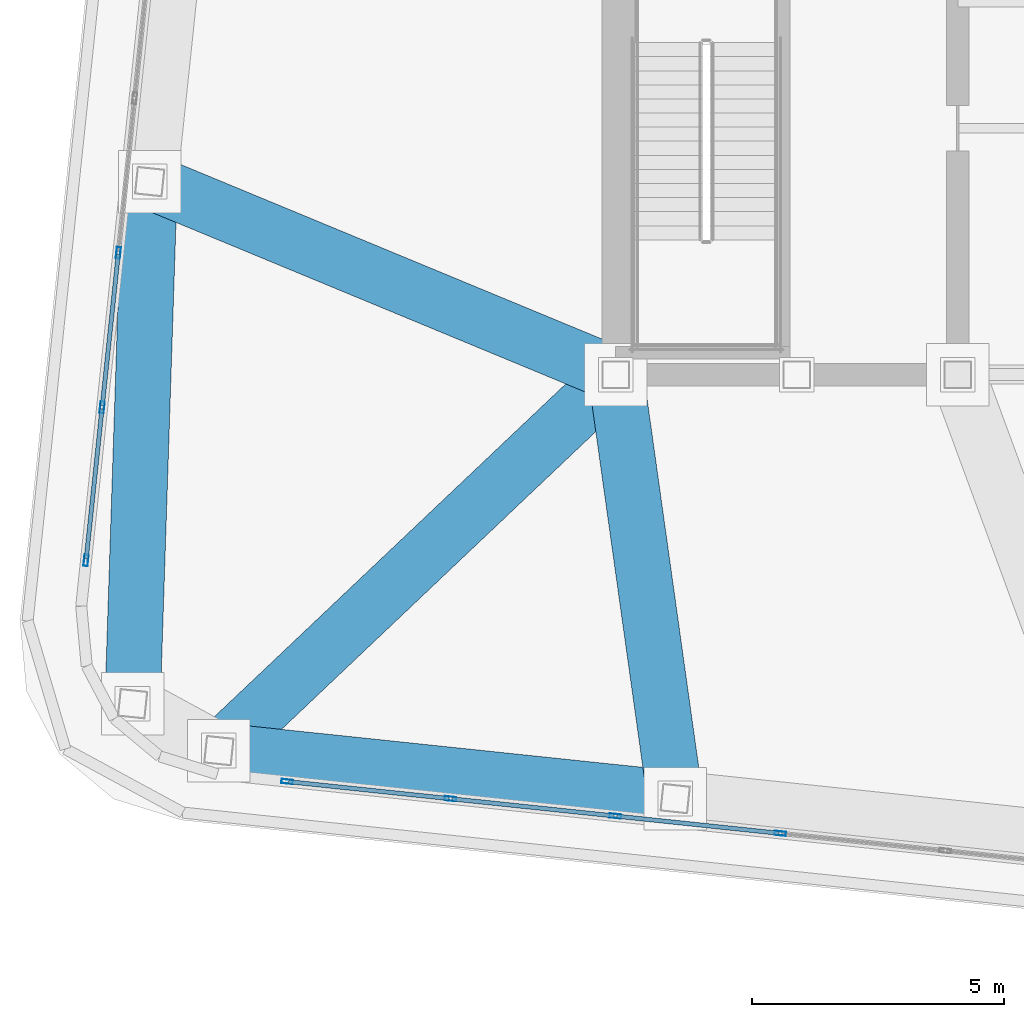
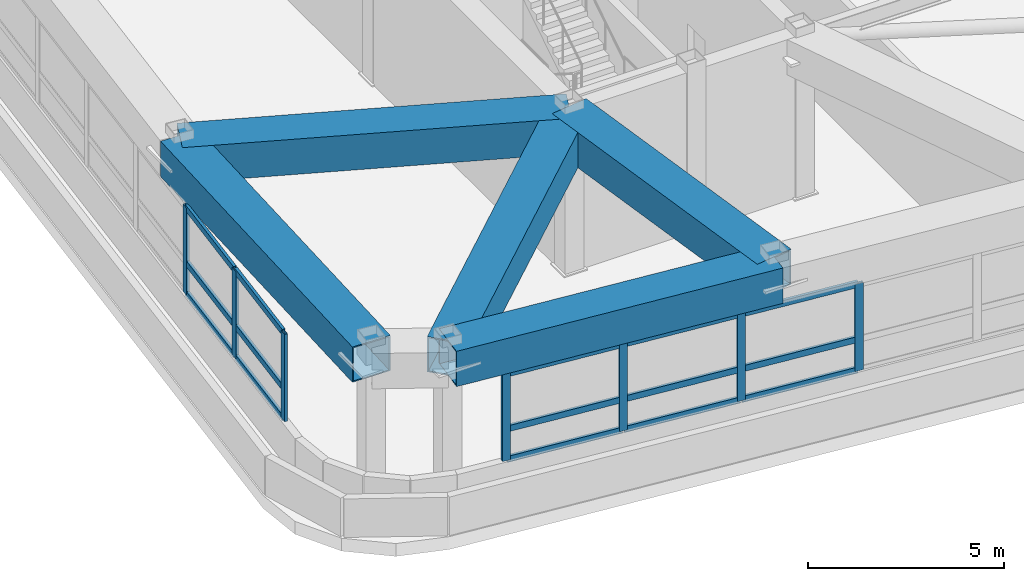
# One storey, part 2 of 22: 22 members, 5 beams, 2 elements without a shape of their own.
"""IFC4 building model written with IfcOpenShell, lengths in metres."""

from ifc_helpers import new_model, si_unit, direction, frame, origin, origin_2d, place, context, subcontext, project, spatial, hollow_rectangle, extrude, material, layer, layer_set, material_profile, profile_set, type_object, element, aggregate, save


model = new_model("IFC4")

# Units and contexts
model_context = context("Model", 3, precision=1e-05, world=origin(), true_north=direction((0.0, 1.0)))
body_context = subcontext(model_context, "Body", "Model", "MODEL_VIEW")
ifc_project = project(units=[si_unit("LENGTHUNIT", "METRE"), si_unit("AREAUNIT", "SQUARE_METRE"), si_unit("VOLUMEUNIT", "CUBIC_METRE"), si_unit("PLANEANGLEUNIT", "RADIAN"), si_unit("MASSUNIT", "GRAM", prefix="KILO")], contexts=[model_context])

# Site, building, storey
site_placement = place(None, origin())
site = spatial("IfcSite", under=ifc_project, at=site_placement, CompositionType="ELEMENT")
building_placement = place(site_placement, origin())
building = spatial("IfcBuilding", under=site, at=building_placement, Name="Voryun Gate Residences", CompositionType="ELEMENT")
storey_placement = place(building_placement, frame((0.0, 0.0, 310.699951171875)))
storey = spatial("IfcBuildingStorey", under=building, at=storey_placement, Name="L77", CompositionType="ELEMENT", Elevation=310.699951171875)

# Beams
ifc_material_1 = material(Name="Steel SM420", Category="steel")
ifc_material_profile_1 = material_profile(ifc_material_1, hollow_rectangle(XDim=1.10009765625, YDim=1.10009765625, WallThickness=0.035888671875, at=origin_2d()), Name="BOX-1100x1100x36")
ifc_profile_set_1 = profile_set([ifc_material_profile_1], Name="Steel SM420")
beam_type = type_object("IfcBeamType", Name="BM_ARCH_RIB", PredefinedType="USERDEFINED", material=ifc_profile_set_1)
beam_1_placement = place(storey_placement, frame((-27.088623046875, -14.871826171875, 4.47509765625), z_axis=(0.994523919568, -0.104509202498, 0.0), x_axis=(0.104509202498, 0.994523919568, 0.0)))
element("IfcBeam", 1, at=beam_1_placement, inside=storey, type_object=beam_type, Name="BM-L77-SPAND-01", ObjectType="GIRDER", PredefinedType="USERDEFINED", context=body_context, shape_type="SweptSolid", body=[
    extrude(hollow_rectangle(XDim=1.10009765625, YDim=1.10009765625, WallThickness=0.035888671875, at=origin_2d()), origin(), (0.0, 0.0, 1.0), 9.1201171875),
])
beam_2_placement = place(storey_placement, frame((-28.464111328125, -3.56201171875, 4.47509765625), z_axis=(-0.032704208853, -0.999465074289, 0.0), x_axis=(0.999465074289, -0.032704208853, 0.0)))
element("IfcBeam", 2, at=beam_2_placement, inside=storey, type_object=beam_type, Name="BM-L77-SPAND-19", ObjectType="GIRDER", PredefinedType="USERDEFINED", context=body_context, shape_type="SweptSolid", body=[
    extrude(hollow_rectangle(XDim=1.10009765625, YDim=1.10009765625, WallThickness=0.035888671875, at=origin_2d()), origin(), (0.0, 0.0, 1.0), 10.384033203125),
])
beam_3_placement = place(storey_placement, frame((-19.199951171875, -7.39990234375, 4.47509765625), z_axis=(-0.726024122139, -0.687669233042, 0.0), x_axis=(0.687669233042, -0.726024122139, 0.0)))
element("IfcBeam", 3, at=beam_3_placement, inside=storey, type_object=beam_type, Name="BM-L77-RAD-S1", ObjectType="GIRDER", PredefinedType="USERDEFINED", context=body_context, shape_type="SweptSolid", body=[
    extrude(hollow_rectangle(XDim=1.10009765625, YDim=1.10009765625, WallThickness=0.035888671875, at=origin_2d()), origin(), (0.0, 0.0, 1.0), 10.865478515625),
])
beam_4_placement = place(storey_placement, frame((-19.199951171875, -7.39990234375, 4.47509765625), z_axis=(0.138865687617, -0.990311224213, 0.0), x_axis=(0.990311224213, 0.138865687617, 0.0)))
element("IfcBeam", 4, at=beam_4_placement, inside=storey, type_object=beam_type, Name="BM-L77-RAD-S2", ObjectType="GIRDER", PredefinedType="USERDEFINED", context=body_context, shape_type="SweptSolid", body=[
    extrude(hollow_rectangle(XDim=1.10009765625, YDim=1.10009765625, WallThickness=0.035888671875, at=origin_2d()), origin(), (0.0, 0.0, 1.0), 8.507568359375),
])
beam_5_placement = place(storey_placement, frame((-19.199951171875, -7.39990234375, 4.47509765625), z_axis=(-0.923860145027, 0.382730234539, 0.0), x_axis=(-0.382730234539, -0.923860145027, 0.0)))
element("IfcBeam", 5, at=beam_5_placement, inside=storey, type_object=beam_type, Name="BM-L77-RAD-W2", ObjectType="GIRDER", PredefinedType="USERDEFINED", context=body_context, shape_type="SweptSolid", body=[
    extrude(hollow_rectangle(XDim=1.10009765625, YDim=1.10009765625, WallThickness=0.035888671875, at=origin_2d()), origin(), (0.0, 0.0, 1.0), 10.027587890625),
])

# Curtain wall, members
ifc_material_2 = material(Name="Anodised aluminium", Category="aluminium")
ifc_layer = layer(ifc_material_2, 0.22998046875, Name="CW_SYS_LANTERN_DARK_GLASS")
ifc_layer_set = layer_set([ifc_layer], Name="Anodised aluminium")
curtain_wall_type = type_object("IfcCurtainWallType", Name="CW_SYS_LANTERN_DARK_GLASS", PredefinedType="NOTDEFINED", material=ifc_layer_set)
curtain_wall_1_placement = place(storey_placement, origin())
curtain_wall_1 = element("IfcCurtainWall", 6, at=curtain_wall_1_placement, inside=storey, type_object=curtain_wall_type, Name="Curtain wall CW6-L77-01", PredefinedType="NOTDEFINED")
ifc_material_3 = material(Name="Anodised aluminium", Category="aluminium")
ifc_material_profile_2 = material_profile(ifc_material_3, hollow_rectangle(XDim=0.0849609375, YDim=0.22998046875, WallThickness=0.006103515625, at=origin_2d()), Name="ALU-MULL-230x85x6")
ifc_profile_set_2 = profile_set([ifc_material_profile_2], Name="Anodised aluminium")
member_type_1 = type_object("IfcMemberType", Name="CW_MULL_LANT", PredefinedType="MULLION", material=ifc_profile_set_2)
member_1_placement = place(storey_placement, frame((-15.930908203125, -16.51708984375, 1.18994140625), z_axis=(0.0, 0.0, 1.0), x_axis=(-0.10452775858, -0.994521969434, 0.0)))
member_1 = element("IfcMember", 7, at=member_1_placement, type_object=member_type_1, Name="CW6 mullion 11", PredefinedType="MULLION", context=body_context, shape_type="SweptSolid", body=[
    extrude(hollow_rectangle(XDim=0.0849609375, YDim=0.22998046875, WallThickness=0.006103515625, at=origin_2d()), origin(), (0.0, 0.0, 1.0), 2.72509765625),
])
member_2_placement = place(storey_placement, frame((-19.20751953125, -16.172607421875, 1.18994140625), z_axis=(0.0, 0.0, 1.0), x_axis=(-0.10452775858, -0.994521969434, 0.0)))
member_2 = element("IfcMember", 8, at=member_2_placement, type_object=member_type_1, Name="CW6 mullion 12", PredefinedType="MULLION", context=body_context, shape_type="SweptSolid", body=[
    extrude(hollow_rectangle(XDim=0.0849609375, YDim=0.22998046875, WallThickness=0.006103515625, at=origin_2d()), origin(), (0.0, 0.0, 1.0), 2.72509765625),
])
member_3_placement = place(storey_placement, frame((-22.484130859375, -15.828369140625, 1.18994140625), z_axis=(0.0, 0.0, 1.0), x_axis=(-0.10452775858, -0.994521969434, 0.0)))
member_3 = element("IfcMember", 9, at=member_3_placement, type_object=member_type_1, Name="CW6 mullion 13", PredefinedType="MULLION", context=body_context, shape_type="SweptSolid", body=[
    extrude(hollow_rectangle(XDim=0.0849609375, YDim=0.22998046875, WallThickness=0.006103515625, at=origin_2d()), origin(), (0.0, 0.0, 1.0), 2.72509765625),
])
member_4_placement = place(storey_placement, frame((-25.73095703125, -15.487060546875, 1.18994140625), z_axis=(0.0, 0.0, 1.0), x_axis=(-0.10452775858, -0.994521969434, 0.0)))
member_4 = element("IfcMember", 10, at=member_4_placement, type_object=member_type_1, Name="CW6 mullion 14", PredefinedType="MULLION", context=body_context, shape_type="SweptSolid", body=[
    extrude(hollow_rectangle(XDim=0.0849609375, YDim=0.22998046875, WallThickness=0.006103515625, at=origin_2d()), origin(), (0.0, 0.0, 1.0), 2.72509765625),
])

curtain_wall_2_placement = place(storey_placement, origin())
curtain_wall_2 = element("IfcCurtainWall", 11, at=curtain_wall_2_placement, inside=storey, type_object=curtain_wall_type, Name="Curtain wall CW6-L77-06", PredefinedType="NOTDEFINED")
member_5_placement = place(storey_placement, frame((-29.727783203125, -11.090576171875, 1.18994140625), z_axis=(0.0, 0.0, 1.0), x_axis=(-0.994521943608, 0.104528004296, 0.0)))
member_5 = element("IfcMember", 12, at=member_5_placement, type_object=member_type_1, Name="CW6 mullion 1", PredefinedType="MULLION", context=body_context, shape_type="SweptSolid", body=[
    extrude(hollow_rectangle(XDim=0.0849609375, YDim=0.22998046875, WallThickness=0.006103515625, at=origin_2d()), origin(), (0.0, 0.0, 1.0), 2.72509765625),
])
member_6_placement = place(storey_placement, frame((-29.408203125, -8.04931640625, 1.18994140625), z_axis=(0.0, 0.0, 1.0), x_axis=(-0.994521943608, 0.104528004296, 0.0)))
member_6 = element("IfcMember", 13, at=member_6_placement, type_object=member_type_1, Name="CW6 mullion 2", PredefinedType="MULLION", context=body_context, shape_type="SweptSolid", body=[
    extrude(hollow_rectangle(XDim=0.0849609375, YDim=0.22998046875, WallThickness=0.006103515625, at=origin_2d()), origin(), (0.0, 0.0, 1.0), 2.72509765625),
])
member_7_placement = place(storey_placement, frame((-29.08544921875, -4.978515625, 1.18994140625), z_axis=(0.0, 0.0, 1.0), x_axis=(-0.994521943608, 0.104528004296, 0.0)))
member_7 = element("IfcMember", 14, at=member_7_placement, type_object=member_type_1, Name="CW6 mullion 3", PredefinedType="MULLION", context=body_context, shape_type="SweptSolid", body=[
    extrude(hollow_rectangle(XDim=0.0849609375, YDim=0.22998046875, WallThickness=0.006103515625, at=origin_2d()), origin(), (0.0, 0.0, 1.0), 2.72509765625),
])

# Member
ifc_material_4 = material(Name="Anodised aluminium", Category="aluminium")
ifc_material_profile_3 = material_profile(ifc_material_4, hollow_rectangle(XDim=0.0849609375, YDim=0.18994140625, WallThickness=0.006103515625, at=origin_2d()), Name="ALU-TRAN-190x85x6")
ifc_profile_set_3 = profile_set([ifc_material_profile_3], Name="Anodised aluminium")
member_type_2 = type_object("IfcMemberType", Name="CW_TRAN_LANT", PredefinedType="USERDEFINED", material=ifc_profile_set_3)
member_8_placement = place(storey_placement, frame((-15.960693359375, -16.513916015625, 1.219970703125), z_axis=(-0.994521569819, 0.104531560613, 0.0), x_axis=(-0.104531560613, -0.994521569819, 0.0)))
member_8 = element("IfcMember", 15, at=member_8_placement, type_object=member_type_2, Name="CW6 transom 11.1", ObjectType="TRANSOM", PredefinedType="USERDEFINED", context=body_context, shape_type="SweptSolid", body=[
    extrude(hollow_rectangle(XDim=0.0849609375, YDim=0.18994140625, WallThickness=0.006103515625, at=origin_2d()), origin(), (0.0, 0.0, 1.0), 3.23486328125),
])

member_9_placement = place(storey_placement, frame((-15.960693359375, -16.513916015625, 2.171142578125), z_axis=(-0.994521569819, 0.104531560613, 0.0), x_axis=(-0.104531560613, -0.994521569819, 0.0)))
member_9 = element("IfcMember", 16, at=member_9_placement, type_object=member_type_2, Name="CW6 transom 11.2", ObjectType="TRANSOM", PredefinedType="USERDEFINED", context=body_context, shape_type="SweptSolid", body=[
    extrude(hollow_rectangle(XDim=0.0849609375, YDim=0.18994140625, WallThickness=0.006103515625, at=origin_2d()), origin(), (0.0, 0.0, 1.0), 3.23486328125),
])

member_10_placement = place(storey_placement, frame((-15.960693359375, -16.513916015625, 3.885009765625), z_axis=(-0.994521569819, 0.104531560613, 0.0), x_axis=(-0.104531560613, -0.994521569819, 0.0)))
member_10 = element("IfcMember", 17, at=member_10_placement, type_object=member_type_2, Name="CW6 transom 11.3", ObjectType="TRANSOM", PredefinedType="USERDEFINED", context=body_context, shape_type="SweptSolid", body=[
    extrude(hollow_rectangle(XDim=0.0849609375, YDim=0.18994140625, WallThickness=0.006103515625, at=origin_2d()), origin(), (0.0, 0.0, 1.0), 3.23486328125),
])

member_11_placement = place(storey_placement, frame((-19.2373046875, -16.16943359375, 1.219970703125), z_axis=(-0.994521569819, 0.104531560613, 0.0), x_axis=(-0.104531560613, -0.994521569819, 0.0)))
member_11 = element("IfcMember", 18, at=member_11_placement, type_object=member_type_2, Name="CW6 transom 12.1", ObjectType="TRANSOM", PredefinedType="USERDEFINED", context=body_context, shape_type="SweptSolid", body=[
    extrude(hollow_rectangle(XDim=0.0849609375, YDim=0.18994140625, WallThickness=0.006103515625, at=origin_2d()), origin(), (0.0, 0.0, 1.0), 3.23486328125),
])

member_12_placement = place(storey_placement, frame((-19.2373046875, -16.16943359375, 2.171142578125), z_axis=(-0.994521569819, 0.104531560613, 0.0), x_axis=(-0.104531560613, -0.994521569819, 0.0)))
member_12 = element("IfcMember", 19, at=member_12_placement, type_object=member_type_2, Name="CW6 transom 12.2", ObjectType="TRANSOM", PredefinedType="USERDEFINED", context=body_context, shape_type="SweptSolid", body=[
    extrude(hollow_rectangle(XDim=0.0849609375, YDim=0.18994140625, WallThickness=0.006103515625, at=origin_2d()), origin(), (0.0, 0.0, 1.0), 3.23486328125),
])

member_13_placement = place(storey_placement, frame((-19.2373046875, -16.16943359375, 3.885009765625), z_axis=(-0.994521569819, 0.104531560613, 0.0), x_axis=(-0.104531560613, -0.994521569819, 0.0)))
member_13 = element("IfcMember", 20, at=member_13_placement, type_object=member_type_2, Name="CW6 transom 12.3", ObjectType="TRANSOM", PredefinedType="USERDEFINED", context=body_context, shape_type="SweptSolid", body=[
    extrude(hollow_rectangle(XDim=0.0849609375, YDim=0.18994140625, WallThickness=0.006103515625, at=origin_2d()), origin(), (0.0, 0.0, 1.0), 3.23486328125),
])

member_14_placement = place(storey_placement, frame((-22.513916015625, -15.8251953125, 1.219970703125), z_axis=(-0.994522138405, 0.104526150903, 0.0), x_axis=(-0.104526150903, -0.994522138405, 0.0)))
member_14 = element("IfcMember", 21, at=member_14_placement, type_object=member_type_2, Name="CW6 transom 13.1", ObjectType="TRANSOM", PredefinedType="USERDEFINED", context=body_context, shape_type="SweptSolid", body=[
    extrude(hollow_rectangle(XDim=0.0849609375, YDim=0.18994140625, WallThickness=0.006103515625, at=origin_2d()), origin(), (0.0, 0.0, 1.0), 3.20458984375),
])

member_15_placement = place(storey_placement, frame((-22.513916015625, -15.8251953125, 2.171142578125), z_axis=(-0.994522138405, 0.104526150903, 0.0), x_axis=(-0.104526150903, -0.994522138405, 0.0)))
member_15 = element("IfcMember", 22, at=member_15_placement, type_object=member_type_2, Name="CW6 transom 13.2", ObjectType="TRANSOM", PredefinedType="USERDEFINED", context=body_context, shape_type="SweptSolid", body=[
    extrude(hollow_rectangle(XDim=0.0849609375, YDim=0.18994140625, WallThickness=0.006103515625, at=origin_2d()), origin(), (0.0, 0.0, 1.0), 3.20458984375),
])

member_16_placement = place(storey_placement, frame((-22.513916015625, -15.8251953125, 3.885009765625), z_axis=(-0.994522138405, 0.104526150903, 0.0), x_axis=(-0.104526150903, -0.994522138405, 0.0)))
member_16 = element("IfcMember", 23, at=member_16_placement, type_object=member_type_2, Name="CW6 transom 13.3", ObjectType="TRANSOM", PredefinedType="USERDEFINED", context=body_context, shape_type="SweptSolid", body=[
    extrude(hollow_rectangle(XDim=0.0849609375, YDim=0.18994140625, WallThickness=0.006103515625, at=origin_2d()), origin(), (0.0, 0.0, 1.0), 3.20458984375),
])

aggregate(curtain_wall_1, [member_1, member_2, member_3, member_4, member_8, member_9, member_10, member_11, member_12, member_13, member_14, member_15, member_16])

member_17_placement = place(storey_placement, frame((-29.724609375, -11.060546875, 1.219970703125), z_axis=(0.104485537102, 0.994526406153, 0.0), x_axis=(-0.994526406153, 0.104485537102, 0.0)))
member_17 = element("IfcMember", 24, at=member_17_placement, type_object=member_type_2, Name="CW6 transom 1.1", ObjectType="TRANSOM", PredefinedType="USERDEFINED", context=body_context, shape_type="SweptSolid", body=[
    extrude(hollow_rectangle(XDim=0.0849609375, YDim=0.18994140625, WallThickness=0.006103515625, at=origin_2d()), origin(), (0.0, 0.0, 1.0), 2.997802734375),
])

member_18_placement = place(storey_placement, frame((-29.724609375, -11.060546875, 2.171142578125), z_axis=(0.104485537102, 0.994526406153, 0.0), x_axis=(-0.994526406153, 0.104485537102, 0.0)))
member_18 = element("IfcMember", 25, at=member_18_placement, type_object=member_type_2, Name="CW6 transom 1.2", ObjectType="TRANSOM", PredefinedType="USERDEFINED", context=body_context, shape_type="SweptSolid", body=[
    extrude(hollow_rectangle(XDim=0.0849609375, YDim=0.18994140625, WallThickness=0.006103515625, at=origin_2d()), origin(), (0.0, 0.0, 1.0), 2.997802734375),
])

member_19_placement = place(storey_placement, frame((-29.724609375, -11.060546875, 3.885009765625), z_axis=(0.104485537102, 0.994526406153, 0.0), x_axis=(-0.994526406153, 0.104485537102, 0.0)))
member_19 = element("IfcMember", 26, at=member_19_placement, type_object=member_type_2, Name="CW6 transom 1.3", ObjectType="TRANSOM", PredefinedType="USERDEFINED", context=body_context, shape_type="SweptSolid", body=[
    extrude(hollow_rectangle(XDim=0.0849609375, YDim=0.18994140625, WallThickness=0.006103515625, at=origin_2d()), origin(), (0.0, 0.0, 1.0), 2.997802734375),
])

member_20_placement = place(storey_placement, frame((-29.405029296875, -8.01953125, 1.219970703125), z_axis=(0.104500100479, 0.994524876009, 0.0), x_axis=(-0.994524876009, 0.104500100479, 0.0)))
member_20 = element("IfcMember", 27, at=member_20_placement, type_object=member_type_2, Name="CW6 transom 2.1", ObjectType="TRANSOM", PredefinedType="USERDEFINED", context=body_context, shape_type="SweptSolid", body=[
    extrude(hollow_rectangle(XDim=0.0849609375, YDim=0.18994140625, WallThickness=0.006103515625, at=origin_2d()), origin(), (0.0, 0.0, 1.0), 3.02783203125),
])

member_21_placement = place(storey_placement, frame((-29.405029296875, -8.01953125, 2.171142578125), z_axis=(0.104500100479, 0.994524876009, 0.0), x_axis=(-0.994524876009, 0.104500100479, 0.0)))
member_21 = element("IfcMember", 28, at=member_21_placement, type_object=member_type_2, Name="CW6 transom 2.2", ObjectType="TRANSOM", PredefinedType="USERDEFINED", context=body_context, shape_type="SweptSolid", body=[
    extrude(hollow_rectangle(XDim=0.0849609375, YDim=0.18994140625, WallThickness=0.006103515625, at=origin_2d()), origin(), (0.0, 0.0, 1.0), 3.02783203125),
])

member_22_placement = place(storey_placement, frame((-29.405029296875, -8.01953125, 3.885009765625), z_axis=(0.104500100479, 0.994524876009, 0.0), x_axis=(-0.994524876009, 0.104500100479, 0.0)))
member_22 = element("IfcMember", 29, at=member_22_placement, type_object=member_type_2, Name="CW6 transom 2.3", ObjectType="TRANSOM", PredefinedType="USERDEFINED", context=body_context, shape_type="SweptSolid", body=[
    extrude(hollow_rectangle(XDim=0.0849609375, YDim=0.18994140625, WallThickness=0.006103515625, at=origin_2d()), origin(), (0.0, 0.0, 1.0), 3.02783203125),
])

aggregate(curtain_wall_2, [member_5, member_6, member_7, member_17, member_18, member_19, member_20, member_21, member_22])

save(model, "model.ifc")
